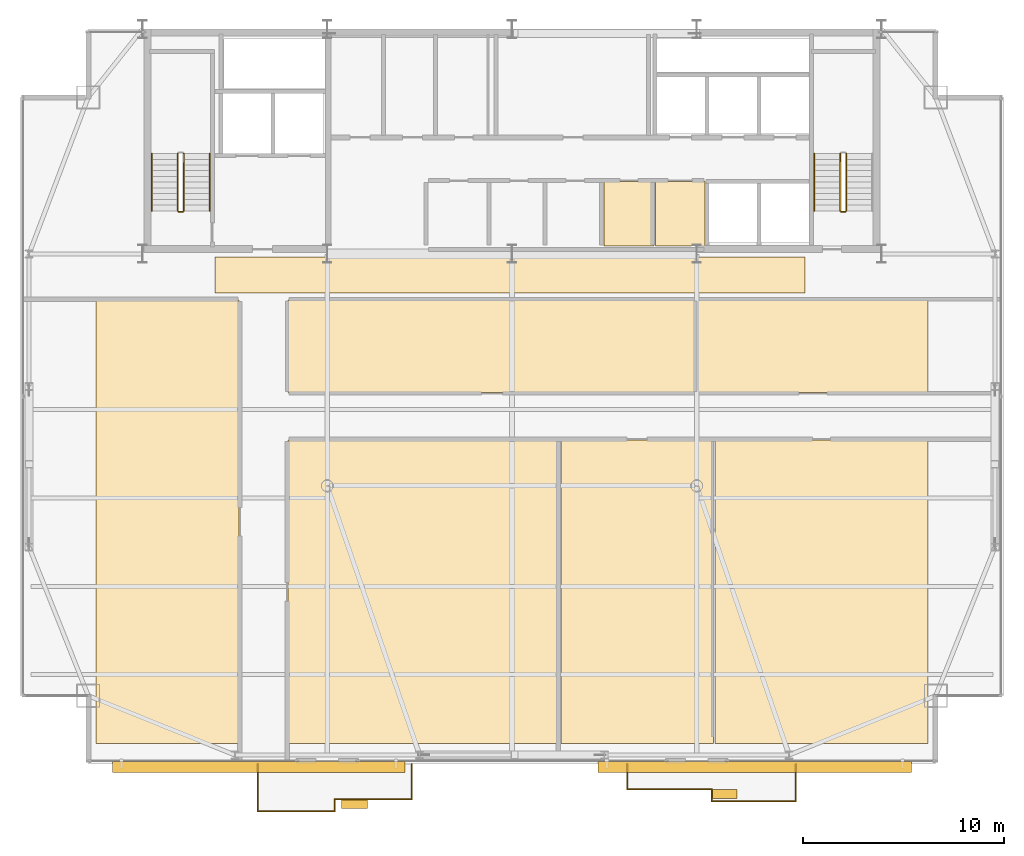
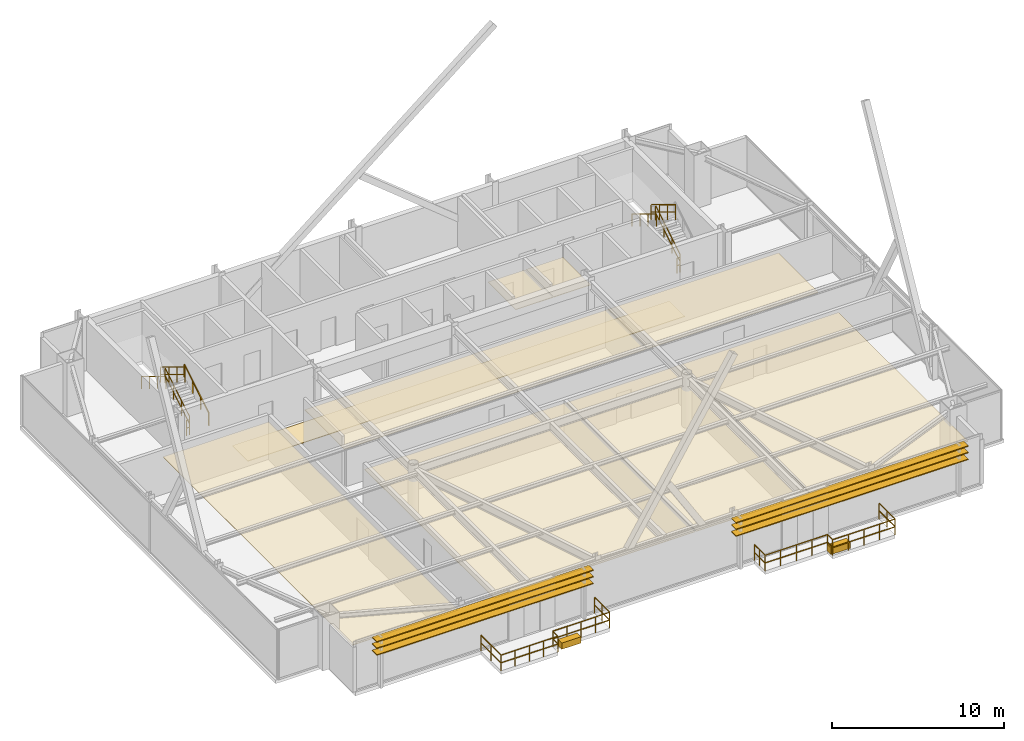
# One storey, part 30 of 31: 19 railings, 11 coverings, 6 shading devices.
"""IFC4 building model written with IfcOpenShell, lengths in metres."""

from ifc_helpers import new_model, si_unit, direction, frame, origin, origin_2d, place, context, subcontext, project, spatial, polyline, rectangle, outline, extrude, source, transform, mapped, material, layer, layer_set, type_object, type_shapes, element, save


model = new_model("IFC4")

# Units and contexts
model_context = context("Model", 3, precision=1e-05, world=origin(), true_north=direction((0.0, 1.0)))
body_context = subcontext(model_context, "Body", "Model", "MODEL_VIEW")
ifc_project = project(units=[si_unit("LENGTHUNIT", "METRE"), si_unit("AREAUNIT", "SQUARE_METRE"), si_unit("VOLUMEUNIT", "CUBIC_METRE"), si_unit("PLANEANGLEUNIT", "RADIAN"), si_unit("MASSUNIT", "GRAM", prefix="KILO")], contexts=[model_context])

# Site, building, storey
site_placement = place(None, origin())
site = spatial("IfcSite", under=ifc_project, at=site_placement, CompositionType="ELEMENT")
building_placement = place(site_placement, origin())
building = spatial("IfcBuilding", under=site, at=building_placement, Name="Varnel Quay Broadcast Tower", CompositionType="ELEMENT")
storey_placement = place(building_placement, frame((0.0, 0.0, 239.39990234375)))
storey = spatial("IfcBuildingStorey", under=building, at=storey_placement, Name="L59", CompositionType="ELEMENT", Elevation=239.39990234375)

# Coverings
ifc_material_1 = material(Name="Micro-Perforated Acoustic Ceiling Tile")
ifc_layer_1 = layer(ifc_material_1, 0.0400390625, Name="Micro-Perforated Acoustic Ceiling Tile")
ifc_layer_set_1 = layer_set([ifc_layer_1], Name="Micro-Perforated Acoustic Ceiling Tile")
covering_type_1 = type_object("IfcCoveringType", Name="Cov_AcousticCeiling", PredefinedType="CEILING", material=ifc_layer_set_1)
covering_1_placement = place(storey_placement, frame((0.0, 0.0, 2.580078125)))
element("IfcCovering", 1, at=covering_1_placement, inside=storey, type_object=covering_type_1, Name="L59 Cleaners' & Linen Store Acoustic Ceiling", PredefinedType="CEILING", context=body_context, shape_type="SweptSolid", body=[
    extrude(outline(polyline([(38.5849609375, 35.985107421875), (41.06494140625, 35.985107421875), (41.06494140625, 39.215087890625), (38.5849609375, 39.215087890625), (38.5849609375, 35.985107421875)])), origin(), (0.0, 0.0, 1.0), 0.0400390625),
])
covering_2_placement = place(storey_placement, frame((0.0, 0.0, 2.580078125)))
element("IfcCovering", 2, at=covering_2_placement, inside=storey, type_object=covering_type_1, Name="L59 Telecom IDF Closet Acoustic Ceiling", PredefinedType="CEILING", context=body_context, shape_type="SweptSolid", body=[
    extrude(outline(polyline([(41.135009765625, 35.985107421875), (43.614990234375, 35.985107421875), (43.614990234375, 39.215087890625), (41.135009765625, 39.215087890625), (41.135009765625, 35.985107421875)])), origin(), (0.0, 0.0, 1.0), 0.0400390625),
])
covering_3_placement = place(storey_placement, frame((0.0, 0.0, 2.580078125)))
element("IfcCovering", 3, at=covering_3_placement, inside=storey, type_object=covering_type_1, Name="L59 Voice Booth 1 Acoustic Ceiling", PredefinedType="CEILING", context=body_context, shape_type="SweptSolid", body=[
    extrude(outline(polyline([(13.284912109375, 11.22509765625), (20.4150390625, 11.22509765625), (20.4150390625, 33.31494140625), (13.284912109375, 33.31494140625), (13.284912109375, 11.22509765625)])), origin(), (0.0, 0.0, 1.0), 0.0400390625),
])
covering_4_placement = place(storey_placement, frame((0.0, 0.0, 2.580078125)))
element("IfcCovering", 4, at=covering_4_placement, inside=storey, type_object=covering_type_1, Name="L59 Audio Control Room 2 Acoustic Ceiling", PredefinedType="CEILING", context=body_context, shape_type="SweptSolid", body=[
    extrude(outline(polyline([(22.8349609375, 11.22509765625), (36.364990234375, 11.22509765625), (36.364990234375, 26.3349609375), (22.8349609375, 26.3349609375), (22.8349609375, 11.22509765625)])), origin(), (0.0, 0.0, 1.0), 0.0400390625),
])
covering_5_placement = place(storey_placement, frame((0.0, 0.0, 2.580078125)))
element("IfcCovering", 5, at=covering_5_placement, inside=storey, type_object=covering_type_1, Name="L59 Talent Lounge 3 Acoustic Ceiling", PredefinedType="CEILING", context=body_context, shape_type="SweptSolid", body=[
    extrude(outline(polyline([(36.43505859375, 11.22509765625), (44.034912109375, 11.22509765625), (44.034912109375, 26.3349609375), (36.43505859375, 26.3349609375), (36.43505859375, 11.22509765625)])), origin(), (0.0, 0.0, 1.0), 0.0400390625),
])
covering_6_placement = place(storey_placement, frame((0.0, 0.0, 2.580078125)))
element("IfcCovering", 6, at=covering_6_placement, inside=storey, type_object=covering_type_1, Name="L59 Pantry Niche 4 Acoustic Ceiling", PredefinedType="CEILING", context=body_context, shape_type="SweptSolid", body=[
    extrude(outline(polyline([(44.10498046875, 11.22509765625), (54.715087890625, 11.22509765625), (54.715087890625, 26.3349609375), (44.10498046875, 26.3349609375), (44.10498046875, 11.22509765625)])), origin(), (0.0, 0.0, 1.0), 0.0400390625),
])
covering_7_placement = place(storey_placement, frame((0.0, 0.0, 2.580078125)))
element("IfcCovering", 7, at=covering_7_placement, inside=storey, type_object=covering_type_1, Name="L59 Broadcast Seminar Room 5 Acoustic Ceiling", PredefinedType="CEILING", context=body_context, shape_type="SweptSolid", body=[
    extrude(outline(polyline([(22.8349609375, 28.705078125), (43.18505859375, 28.705078125), (43.18505859375, 33.31494140625), (22.8349609375, 33.31494140625), (22.8349609375, 28.705078125)])), origin(), (0.0, 0.0, 1.0), 0.0400390625),
])
covering_8_placement = place(storey_placement, frame((0.0, 0.0, 2.580078125)))
element("IfcCovering", 8, at=covering_8_placement, inside=storey, type_object=covering_type_1, Name="L59 Podcast Recording Studio 6 Acoustic Ceiling", PredefinedType="CEILING", context=body_context, shape_type="SweptSolid", body=[
    extrude(outline(polyline([(43.2548828125, 28.705078125), (54.715087890625, 28.705078125), (54.715087890625, 33.31494140625), (43.2548828125, 33.31494140625), (43.2548828125, 28.705078125)])), origin(), (0.0, 0.0, 1.0), 0.0400390625),
])
ifc_material_2 = material(Name="Polished Terrazzo & Broadcast Raised Flooring")
ifc_layer_2 = layer(ifc_material_2, 0.0400390625, Name="Polished Terrazzo & Broadcast Raised Flooring")
ifc_layer_set_2 = layer_set([ifc_layer_2], Name="Polished Terrazzo & Broadcast Raised Flooring")
covering_type_2 = type_object("IfcCoveringType", Name="Cov_TerrazzoFloor", PredefinedType="FLOORING", material=ifc_layer_set_2)
covering_9_placement = place(storey_placement, origin())
element("IfcCovering", 9, at=covering_9_placement, inside=storey, type_object=covering_type_2, Name="L59 Corridor Terrazzo Flooring", PredefinedType="FLOORING", context=body_context, shape_type="SweptSolid", body=[
    extrude(outline(polyline([(19.199951171875, 33.64990234375), (48.60009765625, 33.64990234375), (48.60009765625, 35.449951171875), (19.199951171875, 35.449951171875), (19.199951171875, 33.64990234375)])), origin(), (0.0, 0.0, 1.0), 0.0400390625),
])

# Railings
ifc_material_3 = material(Name="Anodised Bronze Aluminium 6063-T6", Category="aluminium")
railing_type_1 = type_object("IfcRailingType", Name="Rail_Balustrade1150", PredefinedType="BALUSTRADE", material=ifc_material_3)
railing_1_placement = place(storey_placement, frame((21.340087890625, 7.85400390625, 0.0)))
element("IfcRailing", 10, at=railing_1_placement, inside=storey, type_object=railing_type_1, Name="L59 Terrace 1 Guard 1", PredefinedType="BALUSTRADE", context=body_context, shape_type="SweptSolid", body=[
    extrude(rectangle(XDim=0.048095703125, YDim=0.048095703125, at=origin_2d()), frame((0.0, 0.0, 1.1259765625), z_axis=(1.0, 0.0, 0.0), x_axis=(0.0, 1.0, 0.0)), (0.0, 0.0, 1.0), 3.829833984375),
    extrude(rectangle(XDim=0.048095703125, YDim=0.048095703125, at=origin_2d()), frame((0.0, 0.0, 0.574951171875), z_axis=(1.0, 0.0, 0.0), x_axis=(0.0, 1.0, 0.0)), (0.0, 0.0, 1.0), 3.829833984375),
    extrude(rectangle(XDim=0.0419921875, YDim=0.0419921875, at=origin_2d()), origin(), (0.0, 0.0, 1.0), 1.101806640625),
    extrude(rectangle(XDim=0.0419921875, YDim=0.0419921875, at=origin_2d()), frame((0.95751953125, 0.0, 0.0)), (0.0, 0.0, 1.0), 1.101806640625),
    extrude(rectangle(XDim=0.0419921875, YDim=0.0419921875, at=origin_2d()), frame((1.9150390625, 0.0, 0.0)), (0.0, 0.0, 1.0), 1.101806640625),
    extrude(rectangle(XDim=0.0419921875, YDim=0.0419921875, at=origin_2d()), frame((2.872314453125, 0.0, 0.0)), (0.0, 0.0, 1.0), 1.101806640625),
    extrude(rectangle(XDim=0.0419921875, YDim=0.0419921875, at=origin_2d()), frame((3.829833984375, 0.0, 0.0)), (0.0, 0.0, 1.0), 1.101806640625),
])
railing_2_placement = place(storey_placement, frame((25.169921875, 7.85400390625, 0.0)))
element("IfcRailing", 11, at=railing_2_placement, inside=storey, type_object=railing_type_1, Name="L59 Terrace 1 Guard 2", PredefinedType="BALUSTRADE", context=body_context, shape_type="SweptSolid", body=[
    extrude(rectangle(XDim=0.048095703125, YDim=0.048095703125, at=origin_2d()), frame((0.0, 0.0, 1.1259765625), z_axis=(0.0, 1.0, 0.0), x_axis=(-1.0, 0.0, 0.0)), (0.0, 0.0, 1.0), 0.60009765625),
    extrude(rectangle(XDim=0.048095703125, YDim=0.048095703125, at=origin_2d()), frame((0.0, 0.0, 0.574951171875), z_axis=(0.0, 1.0, 0.0), x_axis=(-1.0, 0.0, 0.0)), (0.0, 0.0, 1.0), 0.60009765625),
    extrude(rectangle(XDim=0.0419921875, YDim=0.0419921875, at=origin_2d()), origin(), (0.0, 0.0, 1.0), 1.101806640625),
    extrude(rectangle(XDim=0.0419921875, YDim=0.0419921875, at=origin_2d()), frame((0.0, 0.60009765625, 0.0)), (0.0, 0.0, 1.0), 1.101806640625),
])
railing_3_placement = place(storey_placement, frame((25.169921875, 8.4541015625, 0.0)))
element("IfcRailing", 12, at=railing_3_placement, inside=storey, type_object=railing_type_1, Name="L59 Terrace 1 Guard 3", PredefinedType="BALUSTRADE", context=body_context, shape_type="SweptSolid", body=[
    extrude(rectangle(XDim=0.048095703125, YDim=0.048095703125, at=origin_2d()), frame((0.0, 0.0, 1.1259765625), z_axis=(1.0, 0.0, 0.0), x_axis=(0.0, 1.0, 0.0)), (0.0, 0.0, 1.0), 3.830078125),
    extrude(rectangle(XDim=0.048095703125, YDim=0.048095703125, at=origin_2d()), frame((0.0, 0.0, 0.574951171875), z_axis=(1.0, 0.0, 0.0), x_axis=(0.0, 1.0, 0.0)), (0.0, 0.0, 1.0), 3.830078125),
    extrude(rectangle(XDim=0.0419921875, YDim=0.0419921875, at=origin_2d()), origin(), (0.0, 0.0, 1.0), 1.101806640625),
    extrude(rectangle(XDim=0.0419921875, YDim=0.0419921875, at=origin_2d()), frame((0.95751953125, 0.0, 0.0)), (0.0, 0.0, 1.0), 1.101806640625),
    extrude(rectangle(XDim=0.0419921875, YDim=0.0419921875, at=origin_2d()), frame((1.9150390625, 0.0, 0.0)), (0.0, 0.0, 1.0), 1.101806640625),
    extrude(rectangle(XDim=0.0419921875, YDim=0.0419921875, at=origin_2d()), frame((2.87255859375, 0.0, 0.0)), (0.0, 0.0, 1.0), 1.101806640625),
    extrude(rectangle(XDim=0.0419921875, YDim=0.0419921875, at=origin_2d()), frame((3.830078125, 0.0, 0.0)), (0.0, 0.0, 1.0), 1.101806640625),
])
railing_4_placement = place(storey_placement, frame((29.0, 8.4541015625, 0.0)))
element("IfcRailing", 13, at=railing_4_placement, inside=storey, type_object=railing_type_1, Name="L59 Terrace 1 Guard 4", PredefinedType="BALUSTRADE", context=body_context, shape_type="SweptSolid", body=[
    extrude(rectangle(XDim=0.048095703125, YDim=0.048095703125, at=origin_2d()), frame((0.0, 0.0, 1.1259765625), z_axis=(0.0, 1.0, 0.0), x_axis=(-1.0, 0.0, 0.0)), (0.0, 0.0, 1.0), 1.745849609375),
    extrude(rectangle(XDim=0.048095703125, YDim=0.048095703125, at=origin_2d()), frame((0.0, 0.0, 0.574951171875), z_axis=(0.0, 1.0, 0.0), x_axis=(-1.0, 0.0, 0.0)), (0.0, 0.0, 1.0), 1.745849609375),
    extrude(rectangle(XDim=0.0419921875, YDim=0.0419921875, at=origin_2d()), origin(), (0.0, 0.0, 1.0), 1.101806640625),
    extrude(rectangle(XDim=0.0419921875, YDim=0.0419921875, at=origin_2d()), frame((0.0, 0.873046875, 0.0)), (0.0, 0.0, 1.0), 1.101806640625),
    extrude(rectangle(XDim=0.0419921875, YDim=0.0419921875, at=origin_2d()), frame((0.0, 1.745849609375, 0.0)), (0.0, 0.0, 1.0), 1.101806640625),
])
railing_5_placement = place(storey_placement, frame((21.340087890625, 10.199951171875, 0.0)))
element("IfcRailing", 14, at=railing_5_placement, inside=storey, type_object=railing_type_1, Name="L59 Terrace 1 Guard 6", PredefinedType="BALUSTRADE", context=body_context, shape_type="SweptSolid", body=[
    extrude(rectangle(XDim=0.048095703125, YDim=0.048095703125, at=origin_2d()), frame((0.0, 0.0, 1.1259765625), z_axis=(0.0, -1.0, 0.0), x_axis=(1.0, 0.0, 0.0)), (0.0, 0.0, 1.0), 2.345947265625),
    extrude(rectangle(XDim=0.048095703125, YDim=0.048095703125, at=origin_2d()), frame((0.0, 0.0, 0.574951171875), z_axis=(0.0, -1.0, 0.0), x_axis=(1.0, 0.0, 0.0)), (0.0, 0.0, 1.0), 2.345947265625),
    extrude(rectangle(XDim=0.0419921875, YDim=0.0419921875, at=origin_2d()), origin(), (0.0, 0.0, 1.0), 1.101806640625),
    extrude(rectangle(XDim=0.0419921875, YDim=0.0419921875, at=origin_2d()), frame((0.0, -1.1728515625, 0.0)), (0.0, 0.0, 1.0), 1.101806640625),
    extrude(rectangle(XDim=0.0419921875, YDim=0.0419921875, at=origin_2d()), frame((0.0, -2.345947265625, 0.0)), (0.0, 0.0, 1.0), 1.101806640625),
])
railing_6_placement = place(storey_placement, frame((39.739990234375, 8.946044921875, 0.0)))
element("IfcRailing", 15, at=railing_6_placement, inside=storey, type_object=railing_type_1, Name="L59 Terrace 2 Guard 1", PredefinedType="BALUSTRADE", context=body_context, shape_type="SweptSolid", body=[
    extrude(rectangle(XDim=0.048095703125, YDim=0.048095703125, at=origin_2d()), frame((0.0, 0.0, 1.1259765625), z_axis=(1.0, 0.0, 0.0), x_axis=(0.0, 1.0, 0.0)), (0.0, 0.0, 1.0), 4.199951171875),
    extrude(rectangle(XDim=0.048095703125, YDim=0.048095703125, at=origin_2d()), frame((0.0, 0.0, 0.574951171875), z_axis=(1.0, 0.0, 0.0), x_axis=(0.0, 1.0, 0.0)), (0.0, 0.0, 1.0), 4.199951171875),
    extrude(rectangle(XDim=0.0419921875, YDim=0.0419921875, at=origin_2d()), origin(), (0.0, 0.0, 1.0), 1.101806640625),
    extrude(rectangle(XDim=0.0419921875, YDim=0.0419921875, at=origin_2d()), frame((1.050048828125, 0.0, 0.0)), (0.0, 0.0, 1.0), 1.101806640625),
    extrude(rectangle(XDim=0.0419921875, YDim=0.0419921875, at=origin_2d()), frame((2.10009765625, 0.0, 0.0)), (0.0, 0.0, 1.0), 1.101806640625),
    extrude(rectangle(XDim=0.0419921875, YDim=0.0419921875, at=origin_2d()), frame((3.14990234375, 0.0, 0.0)), (0.0, 0.0, 1.0), 1.101806640625),
    extrude(rectangle(XDim=0.0419921875, YDim=0.0419921875, at=origin_2d()), frame((4.199951171875, 0.0, 0.0)), (0.0, 0.0, 1.0), 1.101806640625),
])
railing_7_placement = place(storey_placement, frame((43.93994140625, 8.946044921875, 0.0)))
element("IfcRailing", 16, at=railing_7_placement, inside=storey, type_object=railing_type_1, Name="L59 Terrace 2 Guard 2", PredefinedType="BALUSTRADE", context=body_context, shape_type="SweptSolid", body=[
    extrude(rectangle(XDim=0.048095703125, YDim=0.048095703125, at=origin_2d()), frame((0.0, 0.0, 1.1259765625), z_axis=(0.0, -1.0, 0.0), x_axis=(1.0, 0.0, 0.0)), (0.0, 0.0, 1.0), 0.60009765625),
    extrude(rectangle(XDim=0.048095703125, YDim=0.048095703125, at=origin_2d()), frame((0.0, 0.0, 0.574951171875), z_axis=(0.0, -1.0, 0.0), x_axis=(1.0, 0.0, 0.0)), (0.0, 0.0, 1.0), 0.60009765625),
    extrude(rectangle(XDim=0.0419921875, YDim=0.0419921875, at=origin_2d()), origin(), (0.0, 0.0, 1.0), 1.101806640625),
    extrude(rectangle(XDim=0.0419921875, YDim=0.0419921875, at=origin_2d()), frame((0.0, -0.60009765625, 0.0)), (0.0, 0.0, 1.0), 1.101806640625),
])
railing_8_placement = place(storey_placement, frame((43.93994140625, 8.345947265625, 0.0)))
element("IfcRailing", 17, at=railing_8_placement, inside=storey, type_object=railing_type_1, Name="L59 Terrace 2 Guard 3", PredefinedType="BALUSTRADE", context=body_context, shape_type="SweptSolid", body=[
    extrude(rectangle(XDim=0.048095703125, YDim=0.048095703125, at=origin_2d()), frame((0.0, 0.0, 1.1259765625), z_axis=(1.0, 0.0, 0.0), x_axis=(0.0, 1.0, 0.0)), (0.0, 0.0, 1.0), 4.199951171875),
    extrude(rectangle(XDim=0.048095703125, YDim=0.048095703125, at=origin_2d()), frame((0.0, 0.0, 0.574951171875), z_axis=(1.0, 0.0, 0.0), x_axis=(0.0, 1.0, 0.0)), (0.0, 0.0, 1.0), 4.199951171875),
    extrude(rectangle(XDim=0.0419921875, YDim=0.0419921875, at=origin_2d()), origin(), (0.0, 0.0, 1.0), 1.101806640625),
    extrude(rectangle(XDim=0.0419921875, YDim=0.0419921875, at=origin_2d()), frame((1.050048828125, 0.0, 0.0)), (0.0, 0.0, 1.0), 1.101806640625),
    extrude(rectangle(XDim=0.0419921875, YDim=0.0419921875, at=origin_2d()), frame((2.10009765625, 0.0, 0.0)), (0.0, 0.0, 1.0), 1.101806640625),
    extrude(rectangle(XDim=0.0419921875, YDim=0.0419921875, at=origin_2d()), frame((3.14990234375, 0.0, 0.0)), (0.0, 0.0, 1.0), 1.101806640625),
    extrude(rectangle(XDim=0.0419921875, YDim=0.0419921875, at=origin_2d()), frame((4.199951171875, 0.0, 0.0)), (0.0, 0.0, 1.0), 1.101806640625),
])
railing_9_placement = place(storey_placement, frame((48.139892578125, 8.345947265625, 0.0)))
element("IfcRailing", 18, at=railing_9_placement, inside=storey, type_object=railing_type_1, Name="L59 Terrace 2 Guard 4", PredefinedType="BALUSTRADE", context=body_context, shape_type="SweptSolid", body=[
    extrude(rectangle(XDim=0.048095703125, YDim=0.048095703125, at=origin_2d()), frame((0.0, 0.0, 1.1259765625), z_axis=(0.0, 1.0, 0.0), x_axis=(-1.0, 0.0, 0.0)), (0.0, 0.0, 1.0), 1.85400390625),
    extrude(rectangle(XDim=0.048095703125, YDim=0.048095703125, at=origin_2d()), frame((0.0, 0.0, 0.574951171875), z_axis=(0.0, 1.0, 0.0), x_axis=(-1.0, 0.0, 0.0)), (0.0, 0.0, 1.0), 1.85400390625),
    extrude(rectangle(XDim=0.0419921875, YDim=0.0419921875, at=origin_2d()), origin(), (0.0, 0.0, 1.0), 1.101806640625),
    extrude(rectangle(XDim=0.0419921875, YDim=0.0419921875, at=origin_2d()), frame((0.0, 0.927001953125, 0.0)), (0.0, 0.0, 1.0), 1.101806640625),
    extrude(rectangle(XDim=0.0419921875, YDim=0.0419921875, at=origin_2d()), frame((0.0, 1.85400390625, 0.0)), (0.0, 0.0, 1.0), 1.101806640625),
])
railing_10_placement = place(storey_placement, frame((39.739990234375, 10.199951171875, 0.0)))
element("IfcRailing", 19, at=railing_10_placement, inside=storey, type_object=railing_type_1, Name="L59 Terrace 2 Guard 6", PredefinedType="BALUSTRADE", context=body_context, shape_type="SweptSolid", body=[
    extrude(rectangle(XDim=0.048095703125, YDim=0.048095703125, at=origin_2d()), frame((0.0, 0.0, 1.1259765625), z_axis=(0.0, -1.0, 0.0), x_axis=(1.0, 0.0, 0.0)), (0.0, 0.0, 1.0), 1.25390625),
    extrude(rectangle(XDim=0.048095703125, YDim=0.048095703125, at=origin_2d()), frame((0.0, 0.0, 0.574951171875), z_axis=(0.0, -1.0, 0.0), x_axis=(1.0, 0.0, 0.0)), (0.0, 0.0, 1.0), 1.25390625),
    extrude(rectangle(XDim=0.0419921875, YDim=0.0419921875, at=origin_2d()), origin(), (0.0, 0.0, 1.0), 1.101806640625),
    extrude(rectangle(XDim=0.0419921875, YDim=0.0419921875, at=origin_2d()), frame((0.0, -0.626953125, 0.0)), (0.0, 0.0, 1.0), 1.101806640625),
    extrude(rectangle(XDim=0.0419921875, YDim=0.0419921875, at=origin_2d()), frame((0.0, -1.25390625, 0.0)), (0.0, 0.0, 1.0), 1.101806640625),
])
ifc_material_4 = material(Name="Painted Steel Guard and Handrail CSA G40.21 350W", Category="steel")
railing_type_2 = type_object("IfcRailingType", Name="Rail_StairGuard1100", PredefinedType="GUARDRAIL", material=ifc_material_4)
railing_11_placement = place(storey_placement, frame((17.64990234375, 37.75, 0.1728515625)))
element("IfcRailing", 20, at=railing_11_placement, inside=storey, type_object=railing_type_2, Name="L59 ST-01 stair guard 1", PredefinedType="GUARDRAIL", context=body_context, shape_type="SweptSolid", body=[
    extrude(rectangle(XDim=0.048095703125, YDim=0.048095703125, at=origin_2d()), frame((0.0, 0.0, 1.076171875), z_axis=(0.0, 0.855202751398, 0.518293598264), x_axis=(-1.0, 0.0, 0.0)), (0.0, 0.0, 1.0), 3.332763671875),
    extrude(rectangle(XDim=0.048095703125, YDim=0.048095703125, at=origin_2d()), frame((0.0, 0.0, 0.550048828125), z_axis=(0.0, 0.855202751398, 0.518293598264), x_axis=(-1.0, 0.0, 0.0)), (0.0, 0.0, 1.0), 3.332763671875),
    extrude(rectangle(XDim=0.0419921875, YDim=0.0419921875, at=origin_2d()), origin(), (0.0, 0.0, 1.0), 1.052001953125),
    extrude(rectangle(XDim=0.0419921875, YDim=0.0419921875, at=origin_2d()), frame((0.0, 0.949951171875, 0.57568359375)), (0.0, 0.0, 1.0), 1.052001953125),
    extrude(rectangle(XDim=0.0419921875, YDim=0.0419921875, at=origin_2d()), frame((0.0, 1.900146484375, 1.151611328125)), (0.0, 0.0, 1.0), 1.052001953125),
    extrude(rectangle(XDim=0.0419921875, YDim=0.0419921875, at=origin_2d()), frame((0.0, 2.85009765625, 1.727294921875)), (0.0, 0.0, 1.0), 1.052001953125),
])
railing_12_placement = place(storey_placement, frame((17.35009765625, 40.60009765625, 2.07275390625)))
element("IfcRailing", 21, at=railing_12_placement, inside=storey, type_object=railing_type_2, Name="L59 ST-01 stair guard 3", PredefinedType="GUARDRAIL", context=body_context, shape_type="SweptSolid", body=[
    extrude(rectangle(XDim=0.048095703125, YDim=0.048095703125, at=origin_2d()), frame((0.0, 0.0, 1.076171875), z_axis=(0.0, -0.855202751398, 0.518293598264), x_axis=(1.0, 0.0, 0.0)), (0.0, 0.0, 1.0), 3.332763671875),
    extrude(rectangle(XDim=0.048095703125, YDim=0.048095703125, at=origin_2d()), frame((0.0, 0.0, 0.550048828125), z_axis=(0.0, -0.855202751398, 0.518293598264), x_axis=(1.0, 0.0, 0.0)), (0.0, 0.0, 1.0), 3.332763671875),
    extrude(rectangle(XDim=0.0419921875, YDim=0.0419921875, at=origin_2d()), origin(), (0.0, 0.0, 1.0), 1.052001953125),
    extrude(rectangle(XDim=0.0419921875, YDim=0.0419921875, at=origin_2d()), frame((0.0, -0.949951171875, 0.57568359375)), (0.0, 0.0, 1.0), 1.052001953125),
    extrude(rectangle(XDim=0.0419921875, YDim=0.0419921875, at=origin_2d()), frame((0.0, -1.900146484375, 1.151611328125)), (0.0, 0.0, 1.0), 1.052001953125),
    extrude(rectangle(XDim=0.0419921875, YDim=0.0419921875, at=origin_2d()), frame((0.0, -2.85009765625, 1.727294921875)), (0.0, 0.0, 1.0), 1.052001953125),
])
railing_13_placement = place(storey_placement, frame((17.60009765625, 37.699951171875, 0.0)))
element("IfcRailing", 22, at=railing_13_placement, inside=storey, type_object=railing_type_2, Name="L59 ST-01 stair guard 4", PredefinedType="GUARDRAIL", context=body_context, shape_type="SweptSolid", body=[
    extrude(rectangle(XDim=0.048095703125, YDim=0.048095703125, at=origin_2d()), frame((0.0, 0.0, 1.076171875), z_axis=(-1.0, 0.0, 0.0), x_axis=(0.0, -1.0, 0.0)), (0.0, 0.0, 1.0), 0.2001953125),
    extrude(rectangle(XDim=0.048095703125, YDim=0.048095703125, at=origin_2d()), frame((0.0, 0.0, 0.550048828125), z_axis=(-1.0, 0.0, 0.0), x_axis=(0.0, -1.0, 0.0)), (0.0, 0.0, 1.0), 0.2001953125),
    extrude(rectangle(XDim=0.0419921875, YDim=0.0419921875, at=origin_2d()), origin(), (0.0, 0.0, 1.0), 1.052001953125),
    extrude(rectangle(XDim=0.0419921875, YDim=0.0419921875, at=origin_2d()), frame((-0.2001953125, 0.0, 0.0)), (0.0, 0.0, 1.0), 1.052001953125),
])
railing_14_placement = place(storey_placement, frame((50.64990234375, 37.75, 0.1728515625)))
element("IfcRailing", 23, at=railing_14_placement, inside=storey, type_object=railing_type_2, Name="L59 ST-02 stair guard 1", PredefinedType="GUARDRAIL", context=body_context, shape_type="SweptSolid", body=[
    extrude(rectangle(XDim=0.048095703125, YDim=0.048095703125, at=origin_2d()), frame((0.0, 0.0, 1.076171875), z_axis=(0.0, 0.855202751398, 0.518293598264), x_axis=(-1.0, 0.0, 0.0)), (0.0, 0.0, 1.0), 3.332763671875),
    extrude(rectangle(XDim=0.048095703125, YDim=0.048095703125, at=origin_2d()), frame((0.0, 0.0, 0.550048828125), z_axis=(0.0, 0.855202751398, 0.518293598264), x_axis=(-1.0, 0.0, 0.0)), (0.0, 0.0, 1.0), 3.332763671875),
    extrude(rectangle(XDim=0.0419921875, YDim=0.0419921875, at=origin_2d()), origin(), (0.0, 0.0, 1.0), 1.052001953125),
    extrude(rectangle(XDim=0.0419921875, YDim=0.0419921875, at=origin_2d()), frame((0.0, 0.949951171875, 0.57568359375)), (0.0, 0.0, 1.0), 1.052001953125),
    extrude(rectangle(XDim=0.0419921875, YDim=0.0419921875, at=origin_2d()), frame((0.0, 1.900146484375, 1.151611328125)), (0.0, 0.0, 1.0), 1.052001953125),
    extrude(rectangle(XDim=0.0419921875, YDim=0.0419921875, at=origin_2d()), frame((0.0, 2.85009765625, 1.727294921875)), (0.0, 0.0, 1.0), 1.052001953125),
])
railing_15_placement = place(storey_placement, frame((50.35009765625, 40.60009765625, 2.07275390625)))
element("IfcRailing", 24, at=railing_15_placement, inside=storey, type_object=railing_type_2, Name="L59 ST-02 stair guard 3", PredefinedType="GUARDRAIL", context=body_context, shape_type="SweptSolid", body=[
    extrude(rectangle(XDim=0.048095703125, YDim=0.048095703125, at=origin_2d()), frame((0.0, 0.0, 1.076171875), z_axis=(0.0, -0.855202751398, 0.518293598264), x_axis=(1.0, 0.0, 0.0)), (0.0, 0.0, 1.0), 3.332763671875),
    extrude(rectangle(XDim=0.048095703125, YDim=0.048095703125, at=origin_2d()), frame((0.0, 0.0, 0.550048828125), z_axis=(0.0, -0.855202751398, 0.518293598264), x_axis=(1.0, 0.0, 0.0)), (0.0, 0.0, 1.0), 3.332763671875),
    extrude(rectangle(XDim=0.0419921875, YDim=0.0419921875, at=origin_2d()), origin(), (0.0, 0.0, 1.0), 1.052001953125),
    extrude(rectangle(XDim=0.0419921875, YDim=0.0419921875, at=origin_2d()), frame((0.0, -0.949951171875, 0.57568359375)), (0.0, 0.0, 1.0), 1.052001953125),
    extrude(rectangle(XDim=0.0419921875, YDim=0.0419921875, at=origin_2d()), frame((0.0, -1.900146484375, 1.151611328125)), (0.0, 0.0, 1.0), 1.052001953125),
    extrude(rectangle(XDim=0.0419921875, YDim=0.0419921875, at=origin_2d()), frame((0.0, -2.85009765625, 1.727294921875)), (0.0, 0.0, 1.0), 1.052001953125),
])
railing_16_placement = place(storey_placement, frame((50.60009765625, 37.699951171875, 0.0)))
element("IfcRailing", 25, at=railing_16_placement, inside=storey, type_object=railing_type_2, Name="L59 ST-02 stair guard 4", PredefinedType="GUARDRAIL", context=body_context, shape_type="SweptSolid", body=[
    extrude(rectangle(XDim=0.048095703125, YDim=0.048095703125, at=origin_2d()), frame((0.0, 0.0, 1.076171875), z_axis=(-1.0, 0.0, 0.0), x_axis=(0.0, -1.0, 0.0)), (0.0, 0.0, 1.0), 0.2001953125),
    extrude(rectangle(XDim=0.048095703125, YDim=0.048095703125, at=origin_2d()), frame((0.0, 0.0, 0.550048828125), z_axis=(-1.0, 0.0, 0.0), x_axis=(0.0, -1.0, 0.0)), (0.0, 0.0, 1.0), 0.2001953125),
    extrude(rectangle(XDim=0.0419921875, YDim=0.0419921875, at=origin_2d()), origin(), (0.0, 0.0, 1.0), 1.052001953125),
    extrude(rectangle(XDim=0.0419921875, YDim=0.0419921875, at=origin_2d()), frame((-0.2001953125, 0.0, 0.0)), (0.0, 0.0, 1.0), 1.052001953125),
])
railing_type_3 = type_object("IfcRailingType", Name="Rail_StairHandrail900", PredefinedType="HANDRAIL", material=ifc_material_4)
railing_17_placement = place(storey_placement, frame((18.949951171875, 37.75, 0.1728515625)))
element("IfcRailing", 26, at=railing_17_placement, inside=storey, type_object=railing_type_3, Name="L59 ST-01 stair handrail 1", PredefinedType="HANDRAIL", context=body_context, shape_type="SweptSolid", body=[
    extrude(rectangle(XDim=0.048095703125, YDim=0.048095703125, at=origin_2d()), frame((0.0, 0.0, 0.8759765625), z_axis=(0.0, 0.855202751398, 0.518293598264), x_axis=(-1.0, 0.0, 0.0)), (0.0, 0.0, 1.0), 3.332763671875),
    extrude(rectangle(XDim=0.0419921875, YDim=0.0419921875, at=origin_2d()), origin(), (0.0, 0.0, 1.0), 0.851806640625),
    extrude(rectangle(XDim=0.0419921875, YDim=0.0419921875, at=origin_2d()), frame((0.0, 0.949951171875, 0.57568359375)), (0.0, 0.0, 1.0), 0.851806640625),
    extrude(rectangle(XDim=0.0419921875, YDim=0.0419921875, at=origin_2d()), frame((0.0, 1.900146484375, 1.151611328125)), (0.0, 0.0, 1.0), 0.851806640625),
    extrude(rectangle(XDim=0.0419921875, YDim=0.0419921875, at=origin_2d()), frame((0.0, 2.85009765625, 1.727294921875)), (0.0, 0.0, 1.0), 0.851806640625),
])
for number, where, name in (
    (27, (16.050048828125, 40.60009765625, 2.07275390625), "L59 ST-01 stair handrail 2"),
    (28, (49.050048828125, 40.60009765625, 2.07275390625), "L59 ST-02 stair handrail 2"),
):
    element("IfcRailing", number, at=place(storey_placement, frame(where)), inside=storey, type_object=railing_type_3, Name=name, PredefinedType="HANDRAIL", context=body_context, shape_type="SweptSolid", body=[
        extrude(rectangle(XDim=0.048095703125, YDim=0.048095703125, at=origin_2d()), frame((0.0, 0.0, 0.8759765625), z_axis=(0.0, -0.855202751398, 0.518293598264), x_axis=(1.0, 0.0, 0.0)), (0.0, 0.0, 1.0), 3.332763671875),
        extrude(rectangle(XDim=0.0419921875, YDim=0.0419921875, at=origin_2d()), origin(), (0.0, 0.0, 1.0), 0.851806640625),
        extrude(rectangle(XDim=0.0419921875, YDim=0.0419921875, at=origin_2d()), frame((0.0, -0.949951171875, 0.57568359375)), (0.0, 0.0, 1.0), 0.851806640625),
        extrude(rectangle(XDim=0.0419921875, YDim=0.0419921875, at=origin_2d()), frame((0.0, -1.900146484375, 1.151611328125)), (0.0, 0.0, 1.0), 0.851806640625),
        extrude(rectangle(XDim=0.0419921875, YDim=0.0419921875, at=origin_2d()), frame((0.0, -2.85009765625, 1.727294921875)), (0.0, 0.0, 1.0), 0.851806640625),
    ])

# Coverings
ifc_material_5 = material(Name="Bronze-Terracotta Extruded Ceramic Blade", Category="masonry")
ifc_layer_3 = layer(ifc_material_5, 0.449951171875, Name="Bronze-Terracotta Extruded Ceramic Blade")
ifc_layer_set_3 = layer_set([ifc_layer_3], Name="Bronze-Terracotta Extruded Ceramic Blade")
covering_type_3 = type_object("IfcCoveringType", Name="Cov_BronzePlanter", PredefinedType="CLADDING", material=ifc_layer_set_3)
shared_shape_1 = source(origin(), body_context, "Body", "SweptSolid", [
    extrude(rectangle(XDim=1.300048828125, YDim=0.449951171875, at=origin_2d()), origin(), (0.0, 0.0, 1.0), 0.449951171875),
])
type_shapes(covering_type_3, [shared_shape_1])
for number, where, z_axis, x_axis, name in (
    (29, (26.14990234375, 8.2041015625, 0.0), (0.0, 0.0, 1.0), (1.0, 0.0, 0.0), "L59 Terrace 1 Bronze Planter"),
    (30, (44.550048828125, 8.696044921875, 0.0), (0.0, 0.0, 1.0), (1.0, 0.0, 0.0), "L59 Terrace 2 Bronze Planter"),
):
    element("IfcCovering", number, at=place(storey_placement, frame(where, z_axis=z_axis, x_axis=x_axis)), inside=storey, type_object=covering_type_3, Name=name, PredefinedType="CLADDING", context=body_context, shape_type="MappedRepresentation", body=[
        mapped(shared_shape_1, transform((0.0, 0.0, 0.0), x_axis=(1.0, 0.0, 0.0), y_axis=(0.0, 1.0, 0.0), z_axis=(0.0, 0.0, 1.0), scale=1.0)),
    ])

# Shading devices
ifc_layer_4 = layer(ifc_material_5, 0.06494140625, Name="Bronze-Terracotta Extruded Ceramic Blade")
ifc_layer_set_4 = layer_set([ifc_layer_4], Name="Bronze-Terracotta Extruded Ceramic Blade")
shading_device_type = type_object("IfcShadingDeviceType", Name="Shade_LouvreBlade550", PredefinedType="JALOUSIE", material=ifc_layer_set_4)
shared_shape_2 = source(origin(), body_context, "Body", "SweptSolid", [
    extrude(rectangle(XDim=15.62890625, YDim=0.550048828125, at=origin_2d()), origin(), (0.0, 0.0, 1.0), 0.06494140625),
])
for number, where, z_axis, x_axis, name in (
    (31, (46.0849609375, 10.06005859375, 2.447509765625), (0.0, 0.0, 1.0), (1.0, 0.0, 0.0), "L59 Lobe 2 Horizontal Louvre Blade 1"),
    (32, (46.0849609375, 10.06005859375, 2.927734375), (0.0, 0.0, 1.0), (1.0, 0.0, 0.0), "L59 Lobe 2 Horizontal Louvre Blade 2"),
    (33, (46.0849609375, 10.06005859375, 3.3876953125), (0.0, 0.0, 1.0), (1.0, 0.0, 0.0), "L59 Lobe 2 Horizontal Louvre Blade 3"),
):
    element("IfcShadingDevice", number, at=place(storey_placement, frame(where, z_axis=z_axis, x_axis=x_axis)), inside=storey, type_object=shading_device_type, Name=name, PredefinedType="JALOUSIE", context=body_context, shape_type="MappedRepresentation", body=[
        mapped(shared_shape_2, transform((0.0, 0.0, 0.0), x_axis=(1.0, 0.0, 0.0), y_axis=(0.0, 1.0, 0.0), z_axis=(0.0, 0.0, 1.0), scale=1.0)),
    ])
shared_shape_3 = source(origin(), body_context, "Body", "SweptSolid", [
    extrude(rectangle(XDim=14.571044921875, YDim=0.550048828125, at=origin_2d()), origin(), (0.0, 0.0, 1.0), 0.06494140625),
])
type_shapes(shading_device_type, [shared_shape_2, shared_shape_3])
for number, where, z_axis, x_axis, name in (
    (34, (21.385986328125, 10.06005859375, 2.447509765625), (0.0, 0.0, 1.0), (1.0, 0.0, 0.0), "L59 Lobe 1 Horizontal Louvre Blade 1"),
    (35, (21.385986328125, 10.06005859375, 2.927734375), (0.0, 0.0, 1.0), (1.0, 0.0, 0.0), "L59 Lobe 1 Horizontal Louvre Blade 2"),
    (36, (21.385986328125, 10.06005859375, 3.3876953125), (0.0, 0.0, 1.0), (1.0, 0.0, 0.0), "L59 Lobe 1 Horizontal Louvre Blade 3"),
):
    element("IfcShadingDevice", number, at=place(storey_placement, frame(where, z_axis=z_axis, x_axis=x_axis)), inside=storey, type_object=shading_device_type, Name=name, PredefinedType="JALOUSIE", context=body_context, shape_type="MappedRepresentation", body=[
        mapped(shared_shape_3, transform((0.0, 0.0, 0.0), x_axis=(1.0, 0.0, 0.0), y_axis=(0.0, 1.0, 0.0), z_axis=(0.0, 0.0, 1.0), scale=1.0)),
    ])

save(model, "model.ifc")
